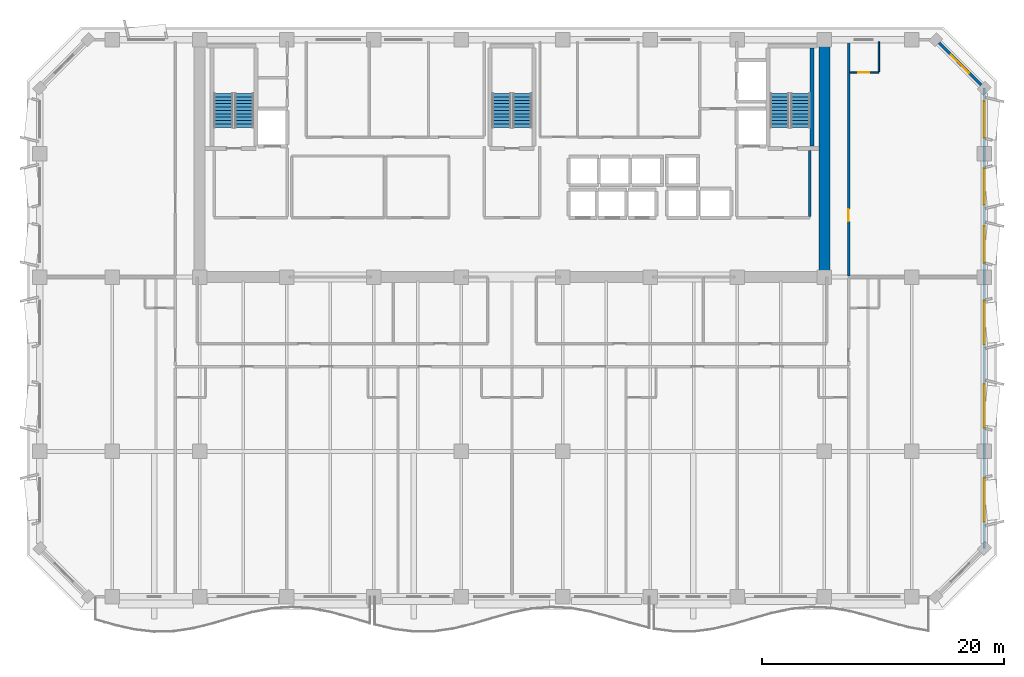
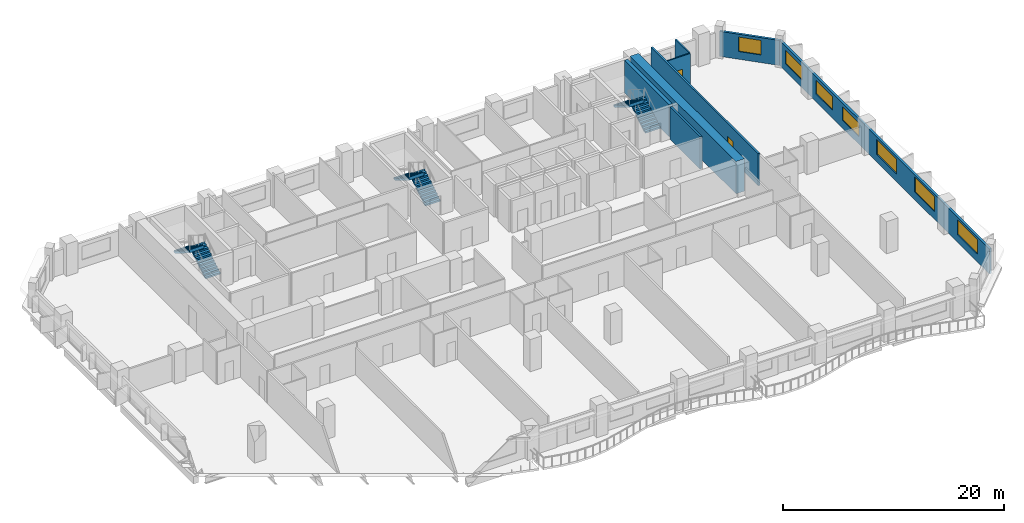
# One storey, part 9 of 14: 8 walls, 7 windows, 6 stair flights, 2 doors, 9 openings, 3 elements without a shape of their own.
"""IFC4 building model written with IfcOpenShell, lengths in metres."""

from ifc_helpers import new_model, si_unit, direction, frame, frame_2d, origin, place, context, subcontext, project, spatial, polyline, rectangle, outline, extrude, material, layer, layer_set, type_object, element, fill, aggregate, save


model = new_model("IFC4")

# Units and contexts
model_context = context("Model", 3, precision=1e-05, world=origin(), true_north=direction((0.0, 1.0)))
body_context = subcontext(model_context, "Body", "Model", "MODEL_VIEW")
ifc_project = project(units=[si_unit("LENGTHUNIT", "METRE"), si_unit("AREAUNIT", "SQUARE_METRE"), si_unit("VOLUMEUNIT", "CUBIC_METRE"), si_unit("PLANEANGLEUNIT", "RADIAN"), si_unit("MASSUNIT", "GRAM", prefix="KILO")], contexts=[model_context])

# Site, building, storey
site_placement = place(None, origin())
site = spatial("IfcSite", under=ifc_project, at=site_placement, CompositionType="ELEMENT")
building_placement = place(site_placement, origin())
building = spatial("IfcBuilding", under=site, at=building_placement, Name="Kaelvorn Grand Hotel", CompositionType="ELEMENT")
storey_placement = place(building_placement, frame((0.0, 0.0, 193.949951171875)))
storey = spatial("IfcBuildingStorey", under=building, at=storey_placement, Name="L47", CompositionType="ELEMENT", Elevation=193.949951171875)

# Wall
ifc_material_1 = material(Name="Concrete C60/75", Category="concrete")
ifc_layer_1 = layer(ifc_material_1, 0.89990234375)
ifc_layer_set_1 = layer_set([ifc_layer_1], Name="Concrete C60/75")
wall_type_1 = type_object("IfcWallType", Name="WL-CORE-900-C60", PredefinedType="SHEAR", material=ifc_layer_set_1)
wall_1_placement = place(storey_placement, frame((67.800048828125, 29.39990234375, 0.0), z_axis=(0.0, 0.0, 1.0), x_axis=(0.0, 1.0, 0.0)))
element("IfcWall", 1, at=wall_1_placement, inside=storey, type_object=wall_type_1, Name="L47 Rear-Core East Shear Wall", PredefinedType="SHEAR", context=body_context, shape_type="SweptSolid", body=[
    extrude(rectangle(XDim=19.2001953125, YDim=0.89990234375, at=frame_2d((9.60009765625, 0.0))), origin(), (0.0, 0.0, 1.0), 3.56005859375),
])

# Wall, openings, windows
ifc_material_2 = material(Name="Concrete C40/50", Category="concrete")
ifc_layer_2 = layer(ifc_material_2, 0.239990234375)
ifc_layer_set_2 = layer_set([ifc_layer_2], Name="Concrete C40/50")
wall_type_2 = type_object("IfcWallType", Name="WL-EXT-240-C40", PredefinedType="SOLIDWALL", material=ifc_layer_set_2)
wall_2_placement = place(storey_placement, frame((81.0, 7.0, 0.0), z_axis=(0.0, 0.0, 1.0), x_axis=(0.0, 1.0, 0.0)))
wall_2 = element("IfcWall", 2, at=wall_2_placement, inside=storey, type_object=wall_type_2, Name="L47 Exterior Architectural Concrete Wall 03", PredefinedType="SOLIDWALL", context=body_context, shape_type="SweptSolid", body=[
    extrude(rectangle(XDim=38.0, YDim=0.239990234375, at=frame_2d((19.0, 0.0))), origin(), (0.0, 0.0, 1.0), 2.760009765625),
])
opening_1_placement = place(wall_2_placement, frame((2.199951171875, 0.0, 0.85009765625)))
opening_1 = element("IfcOpeningElement", 3, at=opening_1_placement, cuts=wall_2, Name="Opening W3", PredefinedType="OPENING", context=body_context, shape_type="SweptSolid", body=[
    extrude(rectangle(XDim=3.60009765625, YDim=1.64990234375, at=frame_2d((1.800048828125, 0.824951171875))), frame((0.0, 0.1298828125, 0.0), z_axis=(0.0, -1.0, 0.0), x_axis=(1.0, 0.0, 0.0)), (0.0, 0.0, 1.0), 0.260009765625),
])
opening_2_placement = place(wall_2_placement, frame((9.965087890625, 0.0, 0.85009765625)))
opening_2 = element("IfcOpeningElement", 4, at=opening_2_placement, cuts=wall_2, Name="Opening W3", PredefinedType="OPENING", context=body_context, shape_type="SweptSolid", body=[
    extrude(rectangle(XDim=3.60009765625, YDim=1.64990234375, at=frame_2d((1.800048828125, 0.824951171875))), frame((0.0, 0.1298828125, 0.0), z_axis=(0.0, -1.0, 0.0), x_axis=(1.0, 0.0, 0.0)), (0.0, 0.0, 1.0), 0.260009765625),
])
opening_3_placement = place(wall_2_placement, frame((16.8349609375, 0.0, 0.85009765625)))
opening_3 = element("IfcOpeningElement", 5, at=opening_3_placement, cuts=wall_2, Name="Opening W3", PredefinedType="OPENING", context=body_context, shape_type="SweptSolid", body=[
    extrude(rectangle(XDim=3.60009765625, YDim=1.64990234375, at=frame_2d((1.800048828125, 0.824951171875))), frame((0.0, 0.1298828125, 0.0), z_axis=(0.0, -1.0, 0.0), x_axis=(1.0, 0.0, 0.0)), (0.0, 0.0, 1.0), 0.260009765625),
])
opening_4_placement = place(wall_2_placement, frame((23.614990234375, 0.0, 0.85009765625)))
opening_4 = element("IfcOpeningElement", 6, at=opening_4_placement, cuts=wall_2, Name="Opening W5", PredefinedType="OPENING", context=body_context, shape_type="SweptSolid", body=[
    extrude(rectangle(XDim=3.0, YDim=1.5, at=frame_2d((1.5, 0.75))), frame((0.0, 0.1298828125, 0.0), z_axis=(0.0, -1.0, 0.0), x_axis=(1.0, 0.0, 0.0)), (0.0, 0.0, 1.0), 0.260009765625),
])
opening_5_placement = place(wall_2_placement, frame((28.385009765625, 0.0, 0.85009765625)))
opening_5 = element("IfcOpeningElement", 7, at=opening_5_placement, cuts=wall_2, Name="Opening W5", PredefinedType="OPENING", context=body_context, shape_type="SweptSolid", body=[
    extrude(rectangle(XDim=3.0, YDim=1.5, at=frame_2d((1.5, 0.75))), frame((0.0, 0.1298828125, 0.0), z_axis=(0.0, -1.0, 0.0), x_axis=(1.0, 0.0, 0.0)), (0.0, 0.0, 1.0), 0.260009765625),
])
opening_6_placement = place(wall_2_placement, frame((33.9150390625, 0.0, 0.85009765625)))
opening_6 = element("IfcOpeningElement", 8, at=opening_6_placement, cuts=wall_2, Name="Opening W5", PredefinedType="OPENING", context=body_context, shape_type="SweptSolid", body=[
    extrude(rectangle(XDim=3.0, YDim=1.5, at=frame_2d((1.5, 0.75))), frame((0.0, 0.1298828125, 0.0), z_axis=(0.0, -1.0, 0.0), x_axis=(1.0, 0.0, 0.0)), (0.0, 0.0, 1.0), 0.260009765625),
])
ifc_material_3 = material(Name="Laminated Low-E Glass", Category="glass")
window_type_1 = type_object("IfcWindowType", Name="WIN-NTH-3000x1500", PartitioningType="SINGLE_PANEL", PredefinedType="WINDOW", material=ifc_material_3)
window_1_placement = place(opening_4_placement, origin())
window_1 = element("IfcWindow", 9, at=window_1_placement, inside=storey, type_object=window_type_1, Name="L47 E Wing Tilted-Frame Ribbon Window E04", OverallHeight=1.5, OverallWidth=3.0, PartitioningType="SINGLE_PANEL", PredefinedType="WINDOW", context=body_context, shape_type="SweptSolid", body=[
    extrude(rectangle(XDim=3.0, YDim=1.5, at=frame_2d((1.5, 0.75))), frame((0.0, 0.030029296875, 0.0), z_axis=(0.0, -1.0, 0.0), x_axis=(1.0, 0.0, 0.0)), (0.0, 0.0, 1.0), 0.06005859375),
])
fill(opening_4, window_1)
window_2_placement = place(opening_5_placement, origin())
window_2 = element("IfcWindow", 10, at=window_2_placement, inside=storey, type_object=window_type_1, Name="L47 E Wing Tilted-Frame Ribbon Window E05", OverallHeight=1.5, OverallWidth=3.0, PartitioningType="SINGLE_PANEL", PredefinedType="WINDOW", context=body_context, shape_type="SweptSolid", body=[
    extrude(rectangle(XDim=3.0, YDim=1.5, at=frame_2d((1.5, 0.75))), frame((0.0, 0.030029296875, 0.0), z_axis=(0.0, -1.0, 0.0), x_axis=(1.0, 0.0, 0.0)), (0.0, 0.0, 1.0), 0.06005859375),
])
fill(opening_5, window_2)
window_3_placement = place(opening_6_placement, origin())
window_3 = element("IfcWindow", 11, at=window_3_placement, inside=storey, type_object=window_type_1, Name="L47 E Wing Tilted-Frame Ribbon Window E06", OverallHeight=1.5, OverallWidth=3.0, PartitioningType="SINGLE_PANEL", PredefinedType="WINDOW", context=body_context, shape_type="SweptSolid", body=[
    extrude(rectangle(XDim=3.0, YDim=1.5, at=frame_2d((1.5, 0.75))), frame((0.0, 0.030029296875, 0.0), z_axis=(0.0, -1.0, 0.0), x_axis=(1.0, 0.0, 0.0)), (0.0, 0.0, 1.0), 0.06005859375),
])
fill(opening_6, window_3)
window_type_2 = type_object("IfcWindowType", Name="WIN-RIB-3600x1750", PartitioningType="SINGLE_PANEL", PredefinedType="WINDOW", material=ifc_material_3)
window_4_placement = place(opening_1_placement, origin())
window_4 = element("IfcWindow", 12, at=window_4_placement, inside=storey, type_object=window_type_2, Name="L47 E Wing Tilted-Frame Ribbon Window E01", OverallHeight=1.64990234375, OverallWidth=3.60009765625, PartitioningType="SINGLE_PANEL", PredefinedType="WINDOW", context=body_context, shape_type="SweptSolid", body=[
    extrude(rectangle(XDim=3.60009765625, YDim=1.64990234375, at=frame_2d((1.800048828125, 0.824951171875))), frame((0.0, 0.030029296875, 0.0), z_axis=(0.0, -1.0, 0.0), x_axis=(1.0, 0.0, 0.0)), (0.0, 0.0, 1.0), 0.06005859375),
])
fill(opening_1, window_4)
window_5_placement = place(opening_2_placement, origin())
window_5 = element("IfcWindow", 13, at=window_5_placement, inside=storey, type_object=window_type_2, Name="L47 E Wing Tilted-Frame Ribbon Window E02", OverallHeight=1.64990234375, OverallWidth=3.60009765625, PartitioningType="SINGLE_PANEL", PredefinedType="WINDOW", context=body_context, shape_type="SweptSolid", body=[
    extrude(rectangle(XDim=3.60009765625, YDim=1.64990234375, at=frame_2d((1.800048828125, 0.824951171875))), frame((0.0, 0.030029296875, 0.0), z_axis=(0.0, -1.0, 0.0), x_axis=(1.0, 0.0, 0.0)), (0.0, 0.0, 1.0), 0.06005859375),
])
fill(opening_2, window_5)
window_6_placement = place(opening_3_placement, origin())
window_6 = element("IfcWindow", 14, at=window_6_placement, inside=storey, type_object=window_type_2, Name="L47 E Wing Tilted-Frame Ribbon Window E03", OverallHeight=1.64990234375, OverallWidth=3.60009765625, PartitioningType="SINGLE_PANEL", PredefinedType="WINDOW", context=body_context, shape_type="SweptSolid", body=[
    extrude(rectangle(XDim=3.60009765625, YDim=1.64990234375, at=frame_2d((1.800048828125, 0.824951171875))), frame((0.0, 0.030029296875, 0.0), z_axis=(0.0, -1.0, 0.0), x_axis=(1.0, 0.0, 0.0)), (0.0, 0.0, 1.0), 0.06005859375),
])
fill(opening_3, window_6)

# Wall, opening, window
wall_3_placement = place(storey_placement, frame((81.0, 45.0, 0.0), z_axis=(0.0, 0.0, 1.0), x_axis=(-0.707106781187, 0.707106781187, 0.0)))
wall_3 = element("IfcWall", 15, at=wall_3_placement, inside=storey, type_object=wall_type_2, Name="L47 Exterior Architectural Concrete Wall 04", PredefinedType="SOLIDWALL", context=body_context, shape_type="SweptSolid", body=[
    extrude(rectangle(XDim=5.65673828125, YDim=0.239990234375, at=frame_2d((2.828369140625, 0.0))), origin(), (0.0, 0.0, 1.0), 2.760009765625),
])
opening_7_placement = place(wall_3_placement, frame((1.7783203125, 0.0, 0.85009765625)))
opening_7 = element("IfcOpeningElement", 16, at=opening_7_placement, cuts=wall_3, Name="Opening W7", PredefinedType="OPENING", context=body_context, shape_type="SweptSolid", body=[
    extrude(rectangle(XDim=2.10009765625, YDim=1.60009765625, at=frame_2d((1.050048828125, 0.800048828125))), frame((0.0, 0.1298828125, 0.0), z_axis=(0.0, -1.0, 0.0), x_axis=(1.0, 0.0, 0.0)), (0.0, 0.0, 1.0), 0.260009765625),
])
window_type_3 = type_object("IfcWindowType", Name="WIN-CHM-2100x1600", PartitioningType="SINGLE_PANEL", PredefinedType="WINDOW", material=ifc_material_3)
window_7_placement = place(opening_7_placement, origin())
window_7 = element("IfcWindow", 17, at=window_7_placement, inside=storey, type_object=window_type_3, Name="L47 Chamfered 45-Degree Corner Window NE", OverallHeight=1.60009765625, OverallWidth=2.10009765625, PartitioningType="SINGLE_PANEL", PredefinedType="WINDOW", context=body_context, shape_type="SweptSolid", body=[
    extrude(rectangle(XDim=2.10009765625, YDim=1.60009765625, at=frame_2d((1.050048828125, 0.800048828125))), frame((0.0, 0.030029296875, 0.0), z_axis=(0.0, -1.0, 0.0), x_axis=(1.0, 0.0, 0.0)), (0.0, 0.0, 1.0), 0.06005859375),
])
fill(opening_7, window_7)

# Wall, opening, door
ifc_material_4 = material(Name="Moisture-Resistant Tile & Stud Board")
ifc_layer_3 = layer(ifc_material_4, 0.125)
ifc_layer_set_3 = layer_set([ifc_layer_3], Name="Moisture-Resistant Tile & Stud Board")
wall_type_3 = type_object("IfcWallType", Name="WL-PART-125-WET", PredefinedType="PARTITIONING", material=ifc_layer_set_3)
wall_4_placement = place(storey_placement, frame((69.89501953125, 46.300048828125, 0.0), z_axis=(0.0, 0.0, 1.0), x_axis=(1.0, 0.0, 0.0)))
wall_4 = element("IfcWall", 18, at=wall_4_placement, inside=storey, type_object=wall_type_3, Name="L47 En-suite Bathroom L47-09 S Partition", PredefinedType="PARTITIONING", context=body_context, shape_type="SweptSolid", body=[
    extrude(rectangle(XDim=2.405029296875, YDim=0.125, at=frame_2d((1.20263671875, 0.0))), origin(), (0.0, 0.0, 1.0), 3.56005859375),
])
opening_8_placement = place(wall_4_placement, frame((0.705078125, 0.0, 0.0)))
opening_8 = element("IfcOpeningElement", 19, at=opening_8_placement, cuts=wall_4, Name="Opening DI4", PredefinedType="OPENING", context=body_context, shape_type="SweptSolid", body=[
    extrude(rectangle(XDim=0.89990234375, YDim=2.10009765625, at=frame_2d((0.449951171875, 1.050048828125))), frame((0.0, 0.072509765625, 0.0), z_axis=(0.0, -1.0, 0.0), x_axis=(1.0, 0.0, 0.0)), (0.0, 0.0, 1.0), 0.14501953125),
])
ifc_material_5 = material(Name="Timber Veneer Leaf", Category="wood")
door_type_1 = type_object("IfcDoorType", Name="DR-INT-BATH-900x2100", OperationType="NOTDEFINED", PredefinedType="DOOR", material=ifc_material_5)
door_1_placement = place(opening_8_placement, origin())
door_1 = element("IfcDoor", 20, at=door_1_placement, inside=storey, type_object=door_type_1, Name="L47 En-suite Bathroom L47-09 Door", OperationType="SINGLE_SWING_LEFT", OverallHeight=2.10009765625, OverallWidth=0.89990234375, PredefinedType="DOOR", context=body_context, shape_type="SweptSolid", body=[
    extrude(rectangle(XDim=0.89990234375, YDim=2.10009765625, at=frame_2d((0.449951171875, 1.050048828125))), frame((0.0, 0.02490234375, 0.0), z_axis=(0.0, -1.0, 0.0), x_axis=(1.0, 0.0, 0.0)), (0.0, 0.0, 1.0), 0.050048828125),
])
fill(opening_8, door_1)

# Wall
wall_5_placement = place(storey_placement, frame((72.300048828125, 46.367431640625, 0.0), z_axis=(0.0, 0.0, 1.0), x_axis=(0.0, 1.0, 0.0)))
element("IfcWall", 21, at=wall_5_placement, inside=storey, type_object=wall_type_3, Name="L47 En-suite Bathroom L47-09 E Partition", PredefinedType="PARTITIONING", context=body_context, shape_type="SweptSolid", body=[
    extrude(rectangle(XDim=2.482666015625, YDim=0.125, at=frame_2d((1.2412109375, 0.0))), origin(), (0.0, 0.0, 1.0), 3.56005859375),
])

# Wall, opening, door
ifc_material_6 = material(Name="Acoustic Gypsum & Stud Partition")
ifc_layer_4 = layer(ifc_material_6, 0.179931640625)
ifc_layer_set_4 = layer_set([ifc_layer_4], Name="Acoustic Gypsum & Stud Partition")
wall_type_4 = type_object("IfcWallType", Name="WL-PART-180-EI60", PredefinedType="PARTITIONING", material=ifc_layer_set_4)
wall_6_placement = place(storey_placement, frame((69.800048828125, 29.4951171875, 0.0), z_axis=(0.0, 0.0, 1.0), x_axis=(0.0, 1.0, 0.0)))
wall_6 = element("IfcWall", 22, at=wall_6_placement, inside=storey, type_object=wall_type_4, Name="L47 North-East Corner Suite L47-09 W Partition", PredefinedType="PARTITIONING", context=body_context, shape_type="SweptSolid", body=[
    extrude(rectangle(XDim=19.35498046875, YDim=0.179931640625, at=frame_2d((9.677490234375, 0.0))), origin(), (0.0, 0.0, 1.0), 3.56005859375),
])
opening_9_placement = place(wall_6_placement, frame((4.5048828125, 0.0, 0.0)))
opening_9 = element("IfcOpeningElement", 23, at=opening_9_placement, cuts=wall_6, Name="Opening DI3", PredefinedType="OPENING", context=body_context, shape_type="SweptSolid", body=[
    extrude(rectangle(XDim=1.0, YDim=2.14990234375, at=frame_2d((0.5, 1.074951171875))), frame((0.0, 0.10009765625, 0.0), z_axis=(0.0, -1.0, 0.0), x_axis=(1.0, 0.0, 0.0)), (0.0, 0.0, 1.0), 0.199951171875),
])
ifc_material_7 = material(Name="Timber Veneer Fire Leaf", Category="wood")
door_type_2 = type_object("IfcDoorType", Name="DR-INT-GUEST-1000x2150", OperationType="NOTDEFINED", PredefinedType="DOOR", material=ifc_material_7)
door_2_placement = place(opening_9_placement, origin())
door_2 = element("IfcDoor", 24, at=door_2_placement, inside=storey, type_object=door_type_2, Name="L47 North-East Corner Suite L47-09 Door", OperationType="SINGLE_SWING_RIGHT", OverallHeight=2.14990234375, OverallWidth=1.0, PredefinedType="DOOR", context=body_context, shape_type="SweptSolid", body=[
    extrude(rectangle(XDim=1.0, YDim=2.14990234375, at=frame_2d((0.5, 1.074951171875))), frame((0.0, 0.02490234375, 0.0), z_axis=(0.0, -1.0, 0.0), x_axis=(1.0, 0.0, 0.0)), (0.0, 0.0, 1.0), 0.050048828125),
])
fill(opening_9, door_2)

# Walls
ifc_layer_5 = layer(ifc_material_2, 0.219970703125)
ifc_layer_set_5 = layer_set([ifc_layer_5], Name="Concrete C40/50")
wall_type_5 = type_object("IfcWallType", Name="WL-PART-220-EI120", PredefinedType="PARTITIONING", material=ifc_layer_set_5)
wall_7_placement = place(storey_placement, frame((66.60009765625, 34.4150390625, 0.0), z_axis=(0.0, 0.0, 1.0), x_axis=(0.0, 1.0, 0.0)))
element("IfcWall", 25, at=wall_7_placement, inside=storey, type_object=wall_type_5, Name="L47 Firefighting Lift Lobby 2 E Partition", PredefinedType="PARTITIONING", context=body_context, shape_type="SweptSolid", body=[
    extrude(rectangle(XDim=5.429931640625, YDim=0.219970703125, at=frame_2d((2.71484375, 0.0))), origin(), (0.0, 0.0, 1.0), 3.56005859375),
])
ifc_layer_6 = layer(ifc_material_1, 0.35009765625)
ifc_layer_set_6 = layer_set([ifc_layer_6], Name="Concrete C60/75")
wall_type_6 = type_object("IfcWallType", Name="WL-SHAFT-350-C60", PredefinedType="SHEAR", material=ifc_layer_set_6)
wall_8_placement = place(storey_placement, frame((66.77490234375, 40.205078125, 0.0), z_axis=(0.0, 0.0, 1.0), x_axis=(0.0, 1.0, 0.0)))
element("IfcWall", 26, at=wall_8_placement, inside=storey, type_object=wall_type_6, Name="L47 ST3 Stair Shaft East Wall", PredefinedType="SHEAR", context=body_context, shape_type="SweptSolid", body=[
    extrude(rectangle(XDim=8.08984375, YDim=0.35009765625, at=frame_2d((4.044921875, 0.0))), origin(), (0.0, 0.0, 1.0), 3.56005859375),
])

# Stair, stair flights
stair_type = type_object("IfcStairType", Name="STR-DOG-1560-R08", PredefinedType="HALF_TURN_STAIR", material=ifc_material_2)
stair_1_placement = place(storey_placement, origin())
stair_1 = element("IfcStair", 27, at=stair_1_placement, inside=storey, type_object=stair_type, Name="L47 West Core Exit Stair ST1", PredefinedType="HALF_TURN_STAIR")
stair_flight_type = type_object("IfcStairFlightType", Name="FLG-DOG-1560-R08", PredefinedType="STRAIGHT", material=ifc_material_2)
stair_flight_1_placement = place(storey_placement, frame((19.89990234375, 41.760009765625, 0.0), z_axis=(0.0, 0.0, 1.0), x_axis=(0.0, 1.0, 0.0)))
stair_flight_1 = element("IfcStairFlight", 28, at=stair_flight_1_placement, type_object=stair_flight_type, Name="ST1 flight 1", NumberOfRisers=11, NumberOfTreads=10, PredefinedType="STRAIGHT", RiserHeight=0.172727273, TreadLength=0.28, context=body_context, shape_type="SweptSolid", body=[
    extrude(outline(polyline([(-0.0048828125, 0.0), (-0.0048828125, 0.0400390625), (0.0, 0.172607421875), (0.280029296875, 0.172607421875), (0.280029296875, 0.345458984375), (0.56005859375, 0.345458984375), (0.56005859375, 0.51806640625), (0.840087890625, 0.51806640625), (0.840087890625, 0.69091796875), (1.1201171875, 0.69091796875), (1.1201171875, 0.863525390625), (1.39990234375, 0.863525390625), (1.39990234375, 1.036376953125), (1.679931640625, 1.036376953125), (1.679931640625, 1.208984375), (1.9599609375, 1.208984375), (1.9599609375, 1.3818359375), (2.239990234375, 1.3818359375), (2.239990234375, 1.554443359375), (2.52001953125, 1.554443359375), (2.52001953125, 1.727294921875), (2.800048828125, 1.727294921875), (2.800048828125, 1.89990234375), (2.804931640625, 1.89990234375), (2.804931640625, 1.551025390625), (0.285400390625, 0.0), (-0.0048828125, 0.0)])), frame((0.0, 0.780029296875, 0.0), z_axis=(0.0, -1.0, 0.0), x_axis=(1.0, 0.0, 0.0)), (0.0, 0.0, 1.0), 1.56005859375),
])
stair_flight_2_placement = place(storey_placement, frame((18.179931640625, 44.56005859375, 1.900146484375), z_axis=(0.0, 0.0, 1.0), x_axis=(0.0, -1.0, 0.0)))
stair_flight_2 = element("IfcStairFlight", 29, at=stair_flight_2_placement, type_object=stair_flight_type, Name="ST1 flight 2", NumberOfRisers=11, NumberOfTreads=10, PredefinedType="STRAIGHT", RiserHeight=0.172727273, TreadLength=0.28, context=body_context, shape_type="SweptSolid", body=[
    extrude(outline(polyline([(-0.0048828125, 0.0), (-0.0048828125, 0.0400390625), (0.0, 0.172607421875), (0.280029296875, 0.172607421875), (0.280029296875, 0.345458984375), (0.56005859375, 0.345458984375), (0.56005859375, 0.51806640625), (0.840087890625, 0.51806640625), (0.840087890625, 0.69091796875), (1.1201171875, 0.69091796875), (1.1201171875, 0.863525390625), (1.39990234375, 0.863525390625), (1.39990234375, 1.036376953125), (1.679931640625, 1.036376953125), (1.679931640625, 1.208984375), (1.9599609375, 1.208984375), (1.9599609375, 1.3818359375), (2.239990234375, 1.3818359375), (2.239990234375, 1.554443359375), (2.52001953125, 1.554443359375), (2.52001953125, 1.727294921875), (2.800048828125, 1.727294921875), (2.800048828125, 1.89990234375), (2.804931640625, 1.89990234375), (2.804931640625, 1.551025390625), (0.285400390625, 0.0), (-0.0048828125, 0.0)])), frame((0.0, 0.780029296875, 0.0), z_axis=(0.0, -1.0, 0.0), x_axis=(1.0, 0.0, 0.0)), (0.0, 0.0, 1.0), 1.56005859375),
])
aggregate(stair_1, [stair_flight_1, stair_flight_2])

stair_2_placement = place(storey_placement, origin())
stair_2 = element("IfcStair", 30, at=stair_2_placement, inside=storey, type_object=stair_type, Name="L47 Central Core Exit Stair ST2", PredefinedType="HALF_TURN_STAIR")
stair_flight_3_placement = place(storey_placement, frame((42.860107421875, 41.760009765625, 0.0), z_axis=(0.0, 0.0, 1.0), x_axis=(0.0, 1.0, 0.0)))
stair_flight_3 = element("IfcStairFlight", 31, at=stair_flight_3_placement, type_object=stair_flight_type, Name="ST2 flight 1", NumberOfRisers=11, NumberOfTreads=10, PredefinedType="STRAIGHT", RiserHeight=0.172727273, TreadLength=0.28, context=body_context, shape_type="SweptSolid", body=[
    extrude(outline(polyline([(-0.0048828125, 0.0), (-0.0048828125, 0.0400390625), (0.0, 0.172607421875), (0.280029296875, 0.172607421875), (0.280029296875, 0.345458984375), (0.56005859375, 0.345458984375), (0.56005859375, 0.51806640625), (0.840087890625, 0.51806640625), (0.840087890625, 0.69091796875), (1.1201171875, 0.69091796875), (1.1201171875, 0.863525390625), (1.39990234375, 0.863525390625), (1.39990234375, 1.036376953125), (1.679931640625, 1.036376953125), (1.679931640625, 1.208984375), (1.9599609375, 1.208984375), (1.9599609375, 1.3818359375), (2.239990234375, 1.3818359375), (2.239990234375, 1.554443359375), (2.52001953125, 1.554443359375), (2.52001953125, 1.727294921875), (2.800048828125, 1.727294921875), (2.800048828125, 1.89990234375), (2.804931640625, 1.89990234375), (2.804931640625, 1.551025390625), (0.285400390625, 0.0), (-0.0048828125, 0.0)])), frame((0.0, 0.780029296875, 0.0), z_axis=(0.0, -1.0, 0.0), x_axis=(1.0, 0.0, 0.0)), (0.0, 0.0, 1.0), 1.56005859375),
])
stair_flight_4_placement = place(storey_placement, frame((41.139892578125, 44.56005859375, 1.900146484375), z_axis=(0.0, 0.0, 1.0), x_axis=(0.0, -1.0, 0.0)))
stair_flight_4 = element("IfcStairFlight", 32, at=stair_flight_4_placement, type_object=stair_flight_type, Name="ST2 flight 2", NumberOfRisers=11, NumberOfTreads=10, PredefinedType="STRAIGHT", RiserHeight=0.172727273, TreadLength=0.28, context=body_context, shape_type="SweptSolid", body=[
    extrude(outline(polyline([(-0.0048828125, 0.0), (-0.0048828125, 0.0400390625), (0.0, 0.172607421875), (0.280029296875, 0.172607421875), (0.280029296875, 0.345458984375), (0.56005859375, 0.345458984375), (0.56005859375, 0.51806640625), (0.840087890625, 0.51806640625), (0.840087890625, 0.69091796875), (1.1201171875, 0.69091796875), (1.1201171875, 0.863525390625), (1.39990234375, 0.863525390625), (1.39990234375, 1.036376953125), (1.679931640625, 1.036376953125), (1.679931640625, 1.208984375), (1.9599609375, 1.208984375), (1.9599609375, 1.3818359375), (2.239990234375, 1.3818359375), (2.239990234375, 1.554443359375), (2.52001953125, 1.554443359375), (2.52001953125, 1.727294921875), (2.800048828125, 1.727294921875), (2.800048828125, 1.89990234375), (2.804931640625, 1.89990234375), (2.804931640625, 1.551025390625), (0.285400390625, 0.0), (-0.0048828125, 0.0)])), frame((0.0, 0.780029296875, 0.0), z_axis=(0.0, -1.0, 0.0), x_axis=(1.0, 0.0, 0.0)), (0.0, 0.0, 1.0), 1.56005859375),
])
aggregate(stair_2, [stair_flight_3, stair_flight_4])

stair_3_placement = place(storey_placement, origin())
stair_3 = element("IfcStair", 33, at=stair_3_placement, inside=storey, type_object=stair_type, Name="L47 East Core Exit Stair ST3", PredefinedType="HALF_TURN_STAIR")
stair_flight_5_placement = place(storey_placement, frame((65.820068359375, 41.760009765625, 0.0), z_axis=(0.0, 0.0, 1.0), x_axis=(0.0, 1.0, 0.0)))
stair_flight_5 = element("IfcStairFlight", 34, at=stair_flight_5_placement, type_object=stair_flight_type, Name="ST3 flight 1", NumberOfRisers=11, NumberOfTreads=10, PredefinedType="STRAIGHT", RiserHeight=0.172727273, TreadLength=0.28, context=body_context, shape_type="SweptSolid", body=[
    extrude(outline(polyline([(-0.0048828125, 0.0), (-0.0048828125, 0.0400390625), (0.0, 0.172607421875), (0.280029296875, 0.172607421875), (0.280029296875, 0.345458984375), (0.56005859375, 0.345458984375), (0.56005859375, 0.51806640625), (0.840087890625, 0.51806640625), (0.840087890625, 0.69091796875), (1.1201171875, 0.69091796875), (1.1201171875, 0.863525390625), (1.39990234375, 0.863525390625), (1.39990234375, 1.036376953125), (1.679931640625, 1.036376953125), (1.679931640625, 1.208984375), (1.9599609375, 1.208984375), (1.9599609375, 1.3818359375), (2.239990234375, 1.3818359375), (2.239990234375, 1.554443359375), (2.52001953125, 1.554443359375), (2.52001953125, 1.727294921875), (2.800048828125, 1.727294921875), (2.800048828125, 1.89990234375), (2.804931640625, 1.89990234375), (2.804931640625, 1.551025390625), (0.285400390625, 0.0), (-0.0048828125, 0.0)])), frame((0.0, 0.780029296875, 0.0), z_axis=(0.0, -1.0, 0.0), x_axis=(1.0, 0.0, 0.0)), (0.0, 0.0, 1.0), 1.56005859375),
])
stair_flight_6_placement = place(storey_placement, frame((64.10009765625, 44.56005859375, 1.900146484375), z_axis=(0.0, 0.0, 1.0), x_axis=(0.0, -1.0, 0.0)))
stair_flight_6 = element("IfcStairFlight", 35, at=stair_flight_6_placement, type_object=stair_flight_type, Name="ST3 flight 2", NumberOfRisers=11, NumberOfTreads=10, PredefinedType="STRAIGHT", RiserHeight=0.172727273, TreadLength=0.28, context=body_context, shape_type="SweptSolid", body=[
    extrude(outline(polyline([(-0.0048828125, 0.0), (-0.0048828125, 0.0400390625), (0.0, 0.172607421875), (0.280029296875, 0.172607421875), (0.280029296875, 0.345458984375), (0.56005859375, 0.345458984375), (0.56005859375, 0.51806640625), (0.840087890625, 0.51806640625), (0.840087890625, 0.69091796875), (1.1201171875, 0.69091796875), (1.1201171875, 0.863525390625), (1.39990234375, 0.863525390625), (1.39990234375, 1.036376953125), (1.679931640625, 1.036376953125), (1.679931640625, 1.208984375), (1.9599609375, 1.208984375), (1.9599609375, 1.3818359375), (2.239990234375, 1.3818359375), (2.239990234375, 1.554443359375), (2.52001953125, 1.554443359375), (2.52001953125, 1.727294921875), (2.800048828125, 1.727294921875), (2.800048828125, 1.89990234375), (2.804931640625, 1.89990234375), (2.804931640625, 1.551025390625), (0.285400390625, 0.0), (-0.0048828125, 0.0)])), frame((0.0, 0.780029296875, 0.0), z_axis=(0.0, -1.0, 0.0), x_axis=(1.0, 0.0, 0.0)), (0.0, 0.0, 1.0), 1.56005859375),
])
aggregate(stair_3, [stair_flight_5, stair_flight_6])

save(model, "model.ifc")
